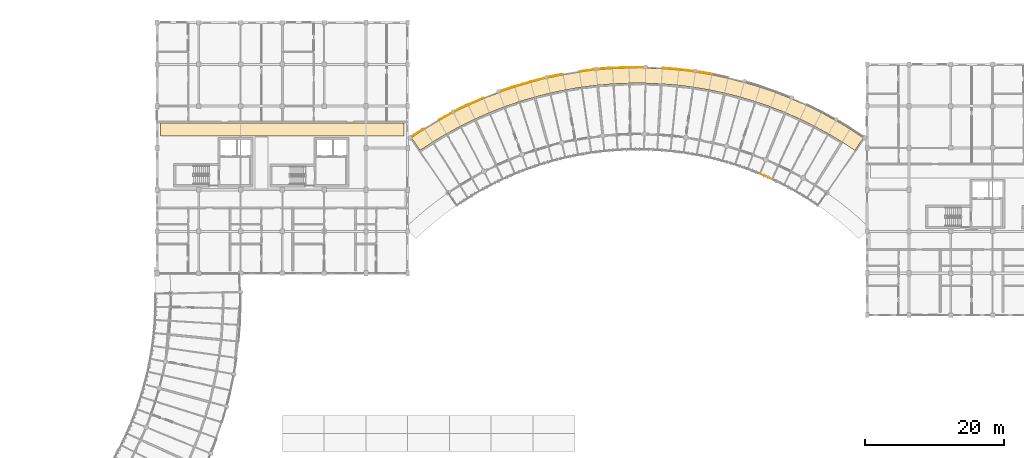
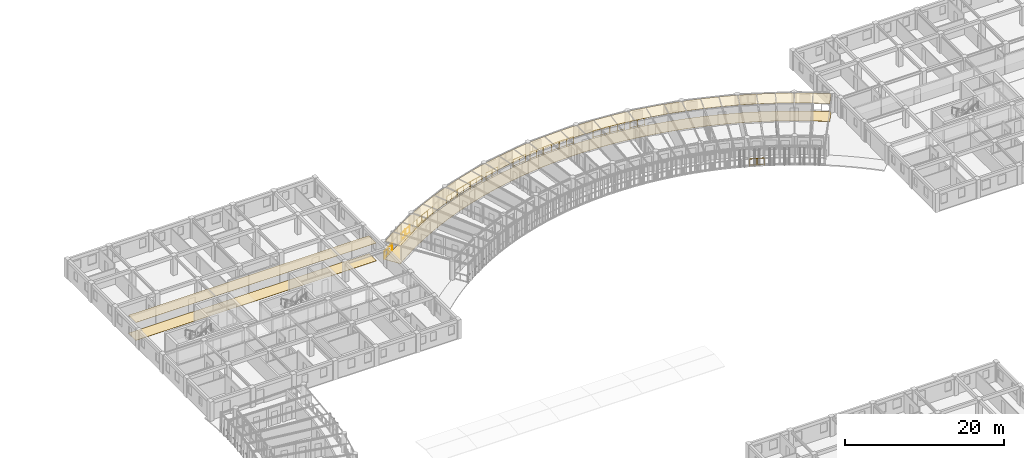
# One storey, part 97 of 100: 16 railings, 4 coverings.
"""IFC4 building model written with IfcOpenShell, lengths in metres."""

import ifcopenshell
import ifcopenshell.guid

model = None  # the IFC model being written
_history = None  # IfcOwnerHistory: only IFC2X3 demands one
_inside = {}  # id of a spatial element -> (the spatial element, [elements in it])
_under = {}  # id of a project, library or spatial element -> (it, [spatial elements below it])
_declared = {}  # id of a project -> (the project, [libraries it declares])
_typed = {}  # id of a type object -> (the type object, [elements of that type])
_made_of = {}  # id of a material, layer set ... -> (it, [elements and type objects made of it])


def new_model(schema):
    """Start an empty IFC model of exactly this schema.

    Asked for "IFC4X3", IfcOpenShell would pick the latest addendum, in which some entities
    have other attributes; the version numbers below select the first issue.
    IFC2X3 requires an IfcOwnerHistory on every rooted entity: one is made here for all.
    """
    global model, _history
    if schema == "IFC4X3":
        model = ifcopenshell.file(schema_version=(4, 3, 0, 0))
    else:
        model = ifcopenshell.file(schema=schema)
    _inside.clear()
    _under.clear()
    _declared.clear()
    _typed.clear()
    _made_of.clear()
    _history = None
    if model.schema == "IFC2X3":
        org = make("IfcOrganization", Name="unknown")
        user = make(
            "IfcPersonAndOrganization",
            ThePerson=make("IfcPerson", FamilyName="unknown"),
            TheOrganization=org,
        )
        app = make(
            "IfcApplication",
            ApplicationDeveloper=org,
            Version="unknown",
            ApplicationFullName="unknown",
            ApplicationIdentifier="unknown",
        )
        _history = make(
            "IfcOwnerHistory",
            OwningUser=user,
            OwningApplication=app,
            ChangeAction="ADDED",
            CreationDate=0,
        )
    return model


def make(cls, **values):
    """One entity of the class cls with the attributes given. An attribute that is None is left unset."""
    return model.create_entity(
        cls, **{name: value for name, value in values.items() if value is not None}
    )


def rooted(cls, **values):
    """An entity with a GlobalId (a new one), such as an element, a storey or a relation."""
    return make(cls, GlobalId=ifcopenshell.guid.new(), OwnerHistory=_history, **values)


def si_unit(unit_type, name, prefix=None):
    """IfcSIUnit, for example si_unit("LENGTHUNIT", "METRE", prefix="MILLI")."""
    return make("IfcSIUnit", UnitType=unit_type, Prefix=prefix, Name=name)


def assignment(units):
    """IfcUnitAssignment: the units of a project."""
    return None if units is None else make("IfcUnitAssignment", Units=units)


def point(xyz):
    """IfcCartesianPoint."""
    return None if xyz is None else make("IfcCartesianPoint", Coordinates=xyz)


def direction(xyz):
    """IfcDirection."""
    return None if xyz is None else make("IfcDirection", DirectionRatios=xyz)


def frame(location, z_axis=None, x_axis=None):
    """IfcAxis2Placement3D, a coordinate frame: its origin and axes. An axis left out is left unset."""
    return make(
        "IfcAxis2Placement3D",
        Location=point(location),
        Axis=direction(z_axis),
        RefDirection=direction(x_axis),
    )


def frame_2d(location, x_axis=None):
    """IfcAxis2Placement2D, a coordinate frame in the plane: its origin and x axis."""
    return make(
        "IfcAxis2Placement2D", Location=point(location), RefDirection=direction(x_axis)
    )


def origin():
    """The frame at (0, 0, 0) with its axes left unset."""
    return frame((0.0, 0.0, 0.0))


def origin_2d():
    """The frame at (0, 0) in the plane with its x axis left unset."""
    return frame_2d((0.0, 0.0))


def place(relative_to, where):
    """IfcLocalPlacement: puts the frame where relative to a parent placement (None: the world)."""
    return make(
        "IfcLocalPlacement", PlacementRelTo=relative_to, RelativePlacement=where
    )


def context(
    kind, dimensions, precision=None, world=None, true_north=None, identifier=None
):
    """IfcGeometricRepresentationContext, for example the 3D "Model" context."""
    return make(
        "IfcGeometricRepresentationContext",
        ContextIdentifier=identifier,
        ContextType=kind,
        CoordinateSpaceDimension=dimensions,
        Precision=precision,
        WorldCoordinateSystem=world,
        TrueNorth=true_north,
    )


def subcontext(parent, identifier, kind, view, scale=None):
    """IfcGeometricRepresentationSubContext, for example "Body" below "Model"."""
    return make(
        "IfcGeometricRepresentationSubContext",
        ContextIdentifier=identifier,
        ContextType=kind,
        ParentContext=parent,
        TargetScale=scale,
        TargetView=view,
    )


def project(units=None, contexts=None):
    """IfcProject with its units and contexts."""
    return rooted(
        "IfcProject",
        Name="project",
        RepresentationContexts=contexts,
        UnitsInContext=assignment(units),
    )


def spatial(cls, under=None, at=None, **own):
    """A site, building, storey or space (cls), placed at a placement, below another one or the project."""
    s = rooted(cls, ObjectPlacement=at, **own)
    if under is not None:
        _under.setdefault(under.id(), (under, []))[1].append(s)
    return s


def polyline(points):
    """IfcPolyline through the points."""
    return make("IfcPolyline", Points=[point(p) for p in points])


def profile(cls, at=None, kind="AREA", **sizes):
    """A parametric profile (cls). Its sizes go by their IFC names, for example OverallWidth=200.0."""
    return make(cls, ProfileType=kind, Position=at, **sizes)


def circle(**sizes):
    """IfcCircleProfileDef."""
    return profile("IfcCircleProfileDef", **sizes)


def outline(outer, holes=None, kind="AREA"):
    """IfcArbitraryClosedProfileDef: a profile drawn as a closed curve; with holes, ...WithVoids."""
    if holes is None:
        return make("IfcArbitraryClosedProfileDef", ProfileType=kind, OuterCurve=outer)
    return make(
        "IfcArbitraryProfileDefWithVoids",
        ProfileType=kind,
        OuterCurve=outer,
        InnerCurves=holes,
    )


def extrude(swept, where, along, depth):
    """IfcExtrudedAreaSolid: the profile swept, set in the frame where, extruded along a direction by depth."""
    return make(
        "IfcExtrudedAreaSolid",
        SweptArea=swept,
        Position=where,
        ExtrudedDirection=direction(along),
        Depth=depth,
    )


def shape(context_of_items, identifier, shape_type, items):
    """IfcShapeRepresentation: the items that make up one representation, for example the "Body"."""
    return make(
        "IfcShapeRepresentation",
        ContextOfItems=context_of_items,
        RepresentationIdentifier=identifier,
        RepresentationType=shape_type,
        Items=items,
    )


def material(Name=None, Category=None):
    """IfcMaterial."""
    return make("IfcMaterial", Name=Name, Category=Category)


def layer(
    of_material, thickness, ventilated=None, Name=None, Category=None, Priority=None
):
    """IfcMaterialLayer: one layer of a wall or slab, of a material (None: an air gap)."""
    return make(
        "IfcMaterialLayer",
        Material=of_material,
        LayerThickness=thickness,
        IsVentilated=ventilated,
        Name=Name,
        Category=Category,
        Priority=Priority,
    )


def layer_set(layers, Name=None):
    """IfcMaterialLayerSet."""
    return make("IfcMaterialLayerSet", MaterialLayers=layers, LayerSetName=Name)


def made_of(thing, what):
    """Note that an element or type object is made of a material, layer set ...; save() writes the relation."""
    if what is not None:
        _made_of.setdefault(what.id(), (what, []))[1].append(thing)
    return thing


def type_object(cls, material=None, **own):
    """A type object (cls), such as IfcWallType, which elements share."""
    return made_of(rooted(cls, **own), material)


def element(
    cls,
    number,
    at=None,
    inside=None,
    cuts=None,
    type_object=None,
    material=None,
    context=None,
    identifier="Body",
    shape_type=None,
    held_by="IfcProductDefinitionShape",
    body=None,
    shapes=None,
    **own,
):
    """One element of the class cls, such as IfcWall. Its Tag is "e" and its number.

    at: its placement. inside: the storey or other place that contains it. cuts: it is an
    opening in that element (IfcRelVoidsElement). A single representation is given by context,
    identifier, shape_type and body (its items); several are given by shapes. held_by: the class
    of the entity that holds the representations. save() writes the other relations.
    """
    e = rooted(cls, Tag="e%d" % number, ObjectPlacement=at, **own)
    if body is not None:
        shapes = [shape(context, identifier, shape_type, body)]
    if shapes is not None:
        e.Representation = make(held_by, Representations=shapes)
    if inside is not None:
        _inside.setdefault(inside.id(), (inside, []))[1].append(e)
    if cuts is not None:
        rooted(
            "IfcRelVoidsElement", RelatingBuildingElement=cuts, RelatedOpeningElement=e
        )
    if type_object is not None:
        _typed.setdefault(type_object.id(), (type_object, []))[1].append(e)
    return made_of(e, material)


def aggregate(whole, parts):
    """IfcRelAggregates: a whole, such as a stair, and the parts it consists of."""
    return rooted("IfcRelAggregates", RelatingObject=whole, RelatedObjects=parts)


def save(model, path):
    """Write the relations noted so far, then the file.

    IfcRelAggregates (storeys below a building ...), IfcRelContainedInSpatialStructure (elements
    in a storey), IfcRelDefinesByType, IfcRelAssociatesMaterial and IfcRelDeclares: one each for
    every whole, place, type object, material and project.
    """
    for whole, parts in _under.values():
        aggregate(whole, parts)
    for where, things in _inside.values():
        rooted(
            "IfcRelContainedInSpatialStructure",
            RelatedElements=things,
            RelatingStructure=where,
        )
    for kind, things in _typed.values():
        rooted("IfcRelDefinesByType", RelatedObjects=things, RelatingType=kind)
    for what, things in _made_of.values():
        rooted("IfcRelAssociatesMaterial", RelatedObjects=things, RelatingMaterial=what)
    for by, libraries in _declared.values():
        rooted("IfcRelDeclares", RelatingContext=by, RelatedDefinitions=libraries)
    model.write(path)


model = new_model("IFC4")

# Units and contexts
model_context = context("Model", 3, precision=1e-05, world=origin(), true_north=direction((0.0, 1.0)))
body_context = subcontext(model_context, "Body", "Model", "MODEL_VIEW")
ifc_project = project(units=[si_unit("LENGTHUNIT", "METRE"), si_unit("AREAUNIT", "SQUARE_METRE"), si_unit("VOLUMEUNIT", "CUBIC_METRE"), si_unit("PLANEANGLEUNIT", "RADIAN"), si_unit("MASSUNIT", "GRAM", prefix="KILO"), si_unit("POWERUNIT", "WATT"), si_unit("THERMODYNAMICTEMPERATUREUNIT", "KELVIN")], contexts=[model_context])

# Site, building, storey
site_placement = place(None, origin())
site = spatial("IfcSite", under=ifc_project, at=site_placement, CompositionType="ELEMENT")
building_placement = place(site_placement, origin())
building = spatial("IfcBuilding", under=site, at=building_placement, Name="Ruvembo Vaulted Housing Court", CompositionType="ELEMENT")
storey_placement = place(building_placement, frame((0.0, 0.0, 10.89990234375)))
storey = spatial("IfcBuildingStorey", under=building, at=storey_placement, Name="L03", CompositionType="ELEMENT", Elevation=10.89990234375)

# Coverings
ifc_material_1 = material(Name="Perforated Mineral-Fibre Acoustic Tile", Category="gypsum")
ifc_layer_1 = layer(ifc_material_1, 0.02001953125, Name="Perforated Mineral-Fibre Acoustic Tile")
ifc_layer_set_1 = layer_set([ifc_layer_1], Name="Perforated Mineral-Fibre Acoustic Tile")
covering_type_1 = type_object("IfcCoveringType", Name="COV-CEIL-ACOUST", PredefinedType="CEILING", material=ifc_layer_set_1)
covering_1_placement = place(storey_placement, frame((0.0, 0.0, 2.75)))
element("IfcCovering", 1, at=covering_1_placement, inside=storey, type_object=covering_type_1, Name="Block B L03 North Sub-Corridor Ceiling", PredefinedType="CEILING", context=body_context, shape_type="SweptSolid", body=[
    extrude(outline(polyline([(48.510009765625, 97.7099609375), (83.489990234375, 97.7099609375), (83.489990234375, 99.590087890625), (48.510009765625, 99.590087890625), (48.510009765625, 97.7099609375)])), origin(), (0.0, 0.0, 1.0), 0.02001953125),
])
covering_2_placement = place(storey_placement, frame((0.0, 0.0, 2.75)))
element("IfcCovering", 2, at=covering_2_placement, inside=storey, type_object=covering_type_1, Name="Scoop SC3 L03 Shaded Access Gallery Ceiling", PredefinedType="CEILING", context=body_context, shape_type="SweptSolid", body=[
    extrude(outline(polyline([(87.599853515625, 96.848876953125), (87.603759765625, 96.851318359375), (89.5693359375, 98.02880859375), (89.5732421875, 98.031005859375), (91.5859375, 99.12548828125), (91.590087890625, 99.127685546875), (93.646484375, 100.137939453125), (93.650634765625, 100.139892578125), (95.747314453125, 101.06396484375), (95.751708984375, 101.065673828125), (97.884765625, 101.90185546875), (97.888916015625, 101.9033203125), (100.054931640625, 102.650390625), (100.059326171875, 102.65185546875), (102.25439453125, 103.30810546875), (102.2587890625, 103.309326171875), (104.4794921875, 103.874267578125), (104.48388671875, 103.875244140625), (106.725830078125, 104.347412109375), (106.73046875, 104.348388671875), (108.990234375, 104.72705078125), (108.99462890625, 104.7275390625), (111.26806640625, 105.01220703125), (111.272705078125, 105.0126953125), (113.55615234375, 105.20263671875), (113.560546875, 105.202880859375), (115.849853515625, 105.298095703125), (115.8544921875, 105.298095703125), (118.1455078125, 105.298095703125), (118.150146484375, 105.298095703125), (120.439453125, 105.202880859375), (120.44384765625, 105.20263671875), (122.727294921875, 105.0126953125), (122.73193359375, 105.01220703125), (125.00537109375, 104.7275390625), (125.009765625, 104.72705078125), (127.26953125, 104.348388671875), (127.274169921875, 104.347412109375), (129.51611328125, 103.875244140625), (129.5205078125, 103.874267578125), (131.7412109375, 103.309326171875), (131.74560546875, 103.30810546875), (133.940673828125, 102.65185546875), (133.945068359375, 102.650390625), (136.111083984375, 101.9033203125), (136.115234375, 101.90185546875), (138.248291015625, 101.065673828125), (138.252685546875, 101.06396484375), (140.349365234375, 100.139892578125), (140.353515625, 100.137939453125), (142.409912109375, 99.127685546875), (142.4140625, 99.12548828125), (144.4267578125, 98.031005859375), (144.4306640625, 98.02880859375), (146.396484375, 96.851318359375), (146.400390625, 96.848876953125), (148.22509765625, 95.650390625), (149.45947265625, 97.447021484375), (147.556884765625, 98.69677734375), (145.509765625, 99.9228515625), (143.41357421875, 101.06298828125), (141.271728515625, 102.114990234375), (139.088134765625, 103.077392578125), (136.866455078125, 103.948486328125), (134.610595703125, 104.726318359375), (132.324462890625, 105.409912109375), (130.01171875, 105.998046875), (127.6767578125, 106.489990234375), (125.3232421875, 106.88427734375), (122.955322265625, 107.1806640625), (120.577392578125, 107.378662109375), (118.193115234375, 107.4775390625), (115.806884765625, 107.4775390625), (113.422607421875, 107.378662109375), (111.044677734375, 107.1806640625), (108.6767578125, 106.88427734375), (106.3232421875, 106.489990234375), (103.98828125, 105.998046875), (101.675537109375, 105.409912109375), (99.389404296875, 104.726318359375), (97.133544921875, 103.948486328125), (94.911865234375, 103.077392578125), (92.728271484375, 102.114990234375), (90.58642578125, 101.06298828125), (88.490234375, 99.9228515625), (86.443115234375, 98.69677734375), (84.54052734375, 97.447021484375), (85.77490234375, 95.650390625), (87.599853515625, 96.848876953125)])), origin(), (0.0, 0.0, 1.0), 0.02001953125),
])
ifc_material_2 = material(Name="Polished Cement-Aggregate Terrazzo", Category="stone")
ifc_layer_2 = layer(ifc_material_2, 0.02197265625, Name="Polished Cement-Aggregate Terrazzo")
ifc_layer_set_2 = layer_set([ifc_layer_2], Name="Polished Cement-Aggregate Terrazzo")
covering_type_2 = type_object("IfcCoveringType", Name="COV-FLR-CERAMIC", PredefinedType="FLOORING", material=ifc_layer_set_2)
covering_3_placement = place(storey_placement, origin())
element("IfcCovering", 3, at=covering_3_placement, inside=storey, type_object=covering_type_2, Name="Block B L03 North Sub-Corridor Flooring", PredefinedType="FLOORING", context=body_context, shape_type="SweptSolid", body=[
    extrude(outline(polyline([(48.510009765625, 97.7099609375), (83.489990234375, 97.7099609375), (83.489990234375, 99.590087890625), (48.510009765625, 99.590087890625), (48.510009765625, 97.7099609375)])), origin(), (0.0, 0.0, 1.0), 0.022216796875),
])
covering_4_placement = place(storey_placement, origin())
element("IfcCovering", 4, at=covering_4_placement, inside=storey, type_object=covering_type_2, Name="Scoop SC3 L03 Shaded Access Gallery Flooring", PredefinedType="FLOORING", context=body_context, shape_type="SweptSolid", body=[
    extrude(outline(polyline([(87.599853515625, 96.848876953125), (87.603759765625, 96.851318359375), (89.5693359375, 98.02880859375), (89.5732421875, 98.031005859375), (91.5859375, 99.12548828125), (91.590087890625, 99.127685546875), (93.646484375, 100.137939453125), (93.650634765625, 100.139892578125), (95.747314453125, 101.06396484375), (95.751708984375, 101.065673828125), (97.884765625, 101.90185546875), (97.888916015625, 101.9033203125), (100.054931640625, 102.650390625), (100.059326171875, 102.65185546875), (102.25439453125, 103.30810546875), (102.2587890625, 103.309326171875), (104.4794921875, 103.874267578125), (104.48388671875, 103.875244140625), (106.725830078125, 104.347412109375), (106.73046875, 104.348388671875), (108.990234375, 104.72705078125), (108.99462890625, 104.7275390625), (111.26806640625, 105.01220703125), (111.272705078125, 105.0126953125), (113.55615234375, 105.20263671875), (113.560546875, 105.202880859375), (115.849853515625, 105.298095703125), (115.8544921875, 105.298095703125), (118.1455078125, 105.298095703125), (118.150146484375, 105.298095703125), (120.439453125, 105.202880859375), (120.44384765625, 105.20263671875), (122.727294921875, 105.0126953125), (122.73193359375, 105.01220703125), (125.00537109375, 104.7275390625), (125.009765625, 104.72705078125), (127.26953125, 104.348388671875), (127.274169921875, 104.347412109375), (129.51611328125, 103.875244140625), (129.5205078125, 103.874267578125), (131.7412109375, 103.309326171875), (131.74560546875, 103.30810546875), (133.940673828125, 102.65185546875), (133.945068359375, 102.650390625), (136.111083984375, 101.9033203125), (136.115234375, 101.90185546875), (138.248291015625, 101.065673828125), (138.252685546875, 101.06396484375), (140.349365234375, 100.139892578125), (140.353515625, 100.137939453125), (142.409912109375, 99.127685546875), (142.4140625, 99.12548828125), (144.4267578125, 98.031005859375), (144.4306640625, 98.02880859375), (146.396484375, 96.851318359375), (146.400390625, 96.848876953125), (148.22509765625, 95.650390625), (149.45947265625, 97.447021484375), (147.556884765625, 98.69677734375), (145.509765625, 99.9228515625), (143.41357421875, 101.06298828125), (141.271728515625, 102.114990234375), (139.088134765625, 103.077392578125), (136.866455078125, 103.948486328125), (134.610595703125, 104.726318359375), (132.324462890625, 105.409912109375), (130.01171875, 105.998046875), (127.6767578125, 106.489990234375), (125.3232421875, 106.88427734375), (122.955322265625, 107.1806640625), (120.577392578125, 107.378662109375), (118.193115234375, 107.4775390625), (115.806884765625, 107.4775390625), (113.422607421875, 107.378662109375), (111.044677734375, 107.1806640625), (108.6767578125, 106.88427734375), (106.3232421875, 106.489990234375), (103.98828125, 105.998046875), (101.675537109375, 105.409912109375), (99.389404296875, 104.726318359375), (97.133544921875, 103.948486328125), (94.911865234375, 103.077392578125), (92.728271484375, 102.114990234375), (90.58642578125, 101.06298828125), (88.490234375, 99.9228515625), (86.443115234375, 98.69677734375), (84.54052734375, 97.447021484375), (85.77490234375, 95.650390625), (87.599853515625, 96.848876953125)])), origin(), (0.0, 0.0, 1.0), 0.022216796875),
])

# Railings
ifc_material_3 = material(Name="Galvanised Painted Steel and Laminated Glass", Category="steel")
ifc_layer_3 = layer(ifc_material_3, 0.070068359375, Name="Galvanised Painted Steel and Laminated Glass")
ifc_layer_set_3 = layer_set([ifc_layer_3], Name="Galvanised Painted Steel and Laminated Glass")
railing_type_1 = type_object("IfcRailingType", Name="RL-BALUST-1120", PredefinedType="BALUSTRADE", material=ifc_layer_set_3)
railing_1_placement = place(storey_placement, frame((84.6787109375, 97.66943359375, 0.0)))
element("IfcRailing", 5, at=railing_1_placement, inside=storey, type_object=railing_type_1, Name="L03 Perimeter Guard RL-EXT-L03-0693", PredefinedType="BALUSTRADE", context=body_context, shape_type="SweptSolid", body=[
    extrude(circle(Radius=0.02392578125, at=origin_2d()), frame((0.0, 0.0, 1.09619140625), z_axis=(0.835822843762, 0.548999247582, 0.0), x_axis=(-0.548999247582, 0.835822843762, 0.0)), (0.0, 0.0, 1.0), 1.990966796875),
    extrude(circle(Radius=0.01806640625, at=origin_2d()), frame((0.0, 0.0, 0.1201171875), z_axis=(0.835822843762, 0.548999247582, 0.0), x_axis=(-0.548999247582, 0.835822843762, 0.0)), (0.0, 0.0, 1.0), 1.990966796875),
    extrude(circle(Radius=0.02099609375, at=origin_2d()), origin(), (0.0, 0.0, 1.0), 1.072021484375),
    extrude(circle(Radius=0.02099609375, at=origin_2d()), frame((0.83203125, 0.54638671875, 0.0)), (0.0, 0.0, 1.0), 1.072021484375),
    extrude(circle(Radius=0.02099609375, at=origin_2d()), frame((1.6640625, 1.093017578125, 0.0)), (0.0, 0.0, 1.0), 1.072021484375),
])
railing_2_placement = place(storey_placement, frame((88.4794921875, 100.042236328125, 0.0)))
element("IfcRailing", 6, at=railing_2_placement, inside=storey, type_object=railing_type_1, Name="L03 Perimeter Guard RL-EXT-L03-0694", PredefinedType="BALUSTRADE", context=body_context, shape_type="SweptSolid", body=[
    extrude(circle(Radius=0.02392578125, at=origin_2d()), frame((0.0, 0.0, 1.09619140625), z_axis=(0.878494737544, 0.477752023656, 0.0), x_axis=(-0.477752023656, 0.878494737544, 0.0)), (0.0, 0.0, 1.0), 1.990966796875),
    extrude(circle(Radius=0.01806640625, at=origin_2d()), frame((0.0, 0.0, 0.1201171875), z_axis=(0.878494737544, 0.477752023656, 0.0), x_axis=(-0.477752023656, 0.878494737544, 0.0)), (0.0, 0.0, 1.0), 1.990966796875),
    extrude(circle(Radius=0.02099609375, at=origin_2d()), origin(), (0.0, 0.0, 1.0), 1.072021484375),
    extrude(circle(Radius=0.02099609375, at=origin_2d()), frame((0.87451171875, 0.4755859375, 0.0)), (0.0, 0.0, 1.0), 1.072021484375),
    extrude(circle(Radius=0.02099609375, at=origin_2d()), frame((1.7490234375, 0.951171875, 0.0)), (0.0, 0.0, 1.0), 1.072021484375),
])
railing_3_placement = place(storey_placement, frame((90.85009765625, 101.31494140625, 0.0)))
element("IfcRailing", 7, at=railing_3_placement, inside=storey, type_object=railing_type_1, Name="L03 Perimeter Guard RL-EXT-L03-0695", PredefinedType="BALUSTRADE", context=body_context, shape_type="SweptSolid", body=[
    extrude(circle(Radius=0.02392578125, at=origin_2d()), frame((0.0, 0.0, 1.09619140625), z_axis=(0.897520268648, 0.440973204817, 0.0), x_axis=(-0.440973204817, 0.897520268648, 0.0)), (0.0, 0.0, 1.0), 1.990966796875),
    extrude(circle(Radius=0.01806640625, at=origin_2d()), frame((0.0, 0.0, 0.1201171875), z_axis=(0.897520268648, 0.440973204817, 0.0), x_axis=(-0.440973204817, 0.897520268648, 0.0)), (0.0, 0.0, 1.0), 1.990966796875),
    extrude(circle(Radius=0.02099609375, at=origin_2d()), origin(), (0.0, 0.0, 1.0), 1.072021484375),
    extrude(circle(Radius=0.02099609375, at=origin_2d()), frame((0.8935546875, 0.43896484375, 0.0)), (0.0, 0.0, 1.0), 1.072021484375),
    extrude(circle(Radius=0.02099609375, at=origin_2d()), frame((1.786865234375, 0.8779296875, 0.0)), (0.0, 0.0, 1.0), 1.072021484375),
])
railing_4_placement = place(storey_placement, frame((92.7275390625, 102.235107421875, 0.0)))
element("IfcRailing", 8, at=railing_4_placement, inside=storey, type_object=railing_type_1, Name="L03 Perimeter Guard RL-EXT-L03-0696", PredefinedType="BALUSTRADE", context=body_context, shape_type="SweptSolid", body=[
    extrude(circle(Radius=0.02392578125, at=origin_2d()), frame((0.0, 0.0, 1.09619140625), z_axis=(0.915112182251, 0.403199322788, 0.0), x_axis=(-0.403199322788, 0.915112182251, 0.0)), (0.0, 0.0, 1.0), 2.29052734375),
    extrude(circle(Radius=0.01806640625, at=origin_2d()), frame((0.0, 0.0, 0.1201171875), z_axis=(0.915112182251, 0.403199322788, 0.0), x_axis=(-0.403199322788, 0.915112182251, 0.0)), (0.0, 0.0, 1.0), 2.29052734375),
    extrude(circle(Radius=0.02099609375, at=origin_2d()), origin(), (0.0, 0.0, 1.0), 1.072021484375),
    extrude(circle(Radius=0.02099609375, at=origin_2d()), frame((1.048095703125, 0.4619140625, 0.0)), (0.0, 0.0, 1.0), 1.072021484375),
    extrude(circle(Radius=0.02099609375, at=origin_2d()), frame((2.09619140625, 0.923583984375, 0.0)), (0.0, 0.0, 1.0), 1.072021484375),
])
railing_5_placement = place(storey_placement, frame((97.426513671875, 104.165771484375, 0.0)))
element("IfcRailing", 9, at=railing_5_placement, inside=storey, type_object=railing_type_1, Name="L03 Perimeter Guard RL-EXT-L03-0697", PredefinedType="BALUSTRADE", context=body_context, shape_type="SweptSolid", body=[
    extrude(circle(Radius=0.02392578125, at=origin_2d()), frame((0.0, 0.0, 1.09619140625), z_axis=(0.945370374838, 0.325998242906, 0.0), x_axis=(-0.325998242906, 0.945370374838, 0.0)), (0.0, 0.0, 1.0), 1.990478515625),
    extrude(circle(Radius=0.01806640625, at=origin_2d()), frame((0.0, 0.0, 0.1201171875), z_axis=(0.945370374838, 0.325998242906, 0.0), x_axis=(-0.325998242906, 0.945370374838, 0.0)), (0.0, 0.0, 1.0), 1.990478515625),
    extrude(circle(Radius=0.02099609375, at=origin_2d()), origin(), (0.0, 0.0, 1.0), 1.072021484375),
    extrude(circle(Radius=0.02099609375, at=origin_2d()), frame((0.94091796875, 0.324462890625, 0.0)), (0.0, 0.0, 1.0), 1.072021484375),
    extrude(circle(Radius=0.02099609375, at=origin_2d()), frame((1.8818359375, 0.64892578125, 0.0)), (0.0, 0.0, 1.0), 1.072021484375),
])
railing_6_placement = place(storey_placement, frame((99.403564453125, 104.84521484375, 0.0)))
element("IfcRailing", 10, at=railing_6_placement, inside=storey, type_object=railing_type_1, Name="L03 Perimeter Guard RL-EXT-L03-0698", PredefinedType="BALUSTRADE", context=body_context, shape_type="SweptSolid", body=[
    extrude(circle(Radius=0.02392578125, at=origin_2d()), frame((0.0, 0.0, 1.09619140625), z_axis=(0.958060614502, 0.28656562763, 0.0), x_axis=(-0.28656562763, 0.958060614502, 0.0)), (0.0, 0.0, 1.0), 2.291015625),
    extrude(circle(Radius=0.01806640625, at=origin_2d()), frame((0.0, 0.0, 0.1201171875), z_axis=(0.958060614502, 0.28656562763, 0.0), x_axis=(-0.28656562763, 0.958060614502, 0.0)), (0.0, 0.0, 1.0), 2.291015625),
    extrude(circle(Radius=0.02099609375, at=origin_2d()), origin(), (0.0, 0.0, 1.0), 1.072021484375),
    extrude(circle(Radius=0.02099609375, at=origin_2d()), frame((1.097412109375, 0.328125, 0.0)), (0.0, 0.0, 1.0), 1.072021484375),
    extrude(circle(Radius=0.02099609375, at=origin_2d()), frame((2.19482421875, 0.656494140625, 0.0)), (0.0, 0.0, 1.0), 1.072021484375),
])
railing_7_placement = place(storey_placement, frame((101.69482421875, 105.5283203125, 0.0)))
element("IfcRailing", 11, at=railing_7_placement, inside=storey, type_object=railing_type_1, Name="L03 Perimeter Guard RL-EXT-L03-0699", PredefinedType="BALUSTRADE", context=body_context, shape_type="SweptSolid", body=[
    extrude(circle(Radius=0.02392578125, at=origin_2d()), frame((0.0, 0.0, 1.09619140625), z_axis=(0.969146191612, 0.246486631044, 0.0), x_axis=(-0.246486631044, 0.969146191612, 0.0)), (0.0, 0.0, 1.0), 1.990966796875),
    extrude(circle(Radius=0.01806640625, at=origin_2d()), frame((0.0, 0.0, 0.1201171875), z_axis=(0.969146191612, 0.246486631044, 0.0), x_axis=(-0.246486631044, 0.969146191612, 0.0)), (0.0, 0.0, 1.0), 1.990966796875),
    extrude(circle(Radius=0.02099609375, at=origin_2d()), origin(), (0.0, 0.0, 1.0), 1.072021484375),
    extrude(circle(Radius=0.02099609375, at=origin_2d()), frame((0.96484375, 0.245361328125, 0.0)), (0.0, 0.0, 1.0), 1.072021484375),
    extrude(circle(Radius=0.02099609375, at=origin_2d()), frame((1.929443359375, 0.49072265625, 0.0)), (0.0, 0.0, 1.0), 1.072021484375),
])
railing_8_placement = place(storey_placement, frame((104.305908203125, 106.177490234375, 0.0)))
element("IfcRailing", 12, at=railing_8_placement, inside=storey, type_object=railing_type_1, Name="L03 Perimeter Guard RL-EXT-L03-0700", PredefinedType="BALUSTRADE", context=body_context, shape_type="SweptSolid", body=[
    extrude(circle(Radius=0.02392578125, at=origin_2d()), frame((0.0, 0.0, 1.09619140625), z_axis=(0.978544579794, 0.206035204168, 0.0), x_axis=(-0.206035204168, 0.978544579794, 0.0)), (0.0, 0.0, 1.0), 1.99072265625),
    extrude(circle(Radius=0.01806640625, at=origin_2d()), frame((0.0, 0.0, 0.1201171875), z_axis=(0.978544579794, 0.206035204168, 0.0), x_axis=(-0.206035204168, 0.978544579794, 0.0)), (0.0, 0.0, 1.0), 1.99072265625),
    extrude(circle(Radius=0.02099609375, at=origin_2d()), origin(), (0.0, 0.0, 1.0), 1.072021484375),
    extrude(circle(Radius=0.02099609375, at=origin_2d()), frame((0.97412109375, 0.205078125, 0.0)), (0.0, 0.0, 1.0), 1.072021484375),
    extrude(circle(Radius=0.02099609375, at=origin_2d()), frame((1.947998046875, 0.41015625, 0.0)), (0.0, 0.0, 1.0), 1.072021484375),
])
railing_9_placement = place(storey_placement, frame((108.71044921875, 106.99951171875, 0.0)))
element("IfcRailing", 13, at=railing_9_placement, inside=storey, type_object=railing_type_1, Name="L03 Perimeter Guard RL-EXT-L03-0701", PredefinedType="BALUSTRADE", context=body_context, shape_type="SweptSolid", body=[
    extrude(circle(Radius=0.02392578125, at=origin_2d()), frame((0.0, 0.0, 1.09619140625), z_axis=(0.99226844011, 0.124110204102, 0.0), x_axis=(-0.124110204102, 0.99226844011, 0.0)), (0.0, 0.0, 1.0), 1.99072265625),
    extrude(circle(Radius=0.01806640625, at=origin_2d()), frame((0.0, 0.0, 0.1201171875), z_axis=(0.99226844011, 0.124110204102, 0.0), x_axis=(-0.124110204102, 0.99226844011, 0.0)), (0.0, 0.0, 1.0), 1.99072265625),
    extrude(circle(Radius=0.02099609375, at=origin_2d()), origin(), (0.0, 0.0, 1.0), 1.072021484375),
    extrude(circle(Radius=0.02099609375, at=origin_2d()), frame((0.98779296875, 0.12353515625, 0.0)), (0.0, 0.0, 1.0), 1.072021484375),
    extrude(circle(Radius=0.02099609375, at=origin_2d()), frame((1.975341796875, 0.2470703125, 0.0)), (0.0, 0.0, 1.0), 1.072021484375),
])
railing_10_placement = place(storey_placement, frame((111.382080078125, 107.319091796875, 0.0)))
element("IfcRailing", 14, at=railing_10_placement, inside=storey, type_object=railing_type_1, Name="L03 Perimeter Guard RL-EXT-L03-0702", PredefinedType="BALUSTRADE", context=body_context, shape_type="SweptSolid", body=[
    extrude(circle(Radius=0.02392578125, at=origin_2d()), frame((0.0, 0.0, 1.09619140625), z_axis=(0.996547449582, 0.083025181315, 0.0), x_axis=(-0.083025181315, 0.996547449582, 0.0)), (0.0, 0.0, 1.0), 1.99072265625),
    extrude(circle(Radius=0.01806640625, at=origin_2d()), frame((0.0, 0.0, 0.1201171875), z_axis=(0.996547449582, 0.083025181315, 0.0), x_axis=(-0.083025181315, 0.996547449582, 0.0)), (0.0, 0.0, 1.0), 1.99072265625),
    extrude(circle(Radius=0.02099609375, at=origin_2d()), origin(), (0.0, 0.0, 1.0), 1.072021484375),
    extrude(circle(Radius=0.02099609375, at=origin_2d()), frame((0.991943359375, 0.08251953125, 0.0)), (0.0, 0.0, 1.0), 1.072021484375),
    extrude(circle(Radius=0.02099609375, at=origin_2d()), frame((1.98388671875, 0.165283203125, 0.0)), (0.0, 0.0, 1.0), 1.072021484375),
])
railing_11_placement = place(storey_placement, frame((113.4658203125, 107.490478515625, 0.0)))
element("IfcRailing", 15, at=railing_11_placement, inside=storey, type_object=railing_type_1, Name="L03 Perimeter Guard RL-EXT-L03-0703", PredefinedType="BALUSTRADE", context=body_context, shape_type="SweptSolid", body=[
    extrude(circle(Radius=0.02392578125, at=origin_2d()), frame((0.0, 0.0, 1.09619140625), z_axis=(0.999140261642, 0.041457659923, 0.0), x_axis=(-0.041457659923, 0.999140261642, 0.0)), (0.0, 0.0, 1.0), 2.290771484375),
    extrude(circle(Radius=0.01806640625, at=origin_2d()), frame((0.0, 0.0, 0.1201171875), z_axis=(0.999140261642, 0.041457659923, 0.0), x_axis=(-0.041457659923, 0.999140261642, 0.0)), (0.0, 0.0, 1.0), 2.290771484375),
    extrude(circle(Radius=0.02099609375, at=origin_2d()), origin(), (0.0, 0.0, 1.0), 1.072021484375),
    extrude(circle(Radius=0.02099609375, at=origin_2d()), frame((1.14453125, 0.04736328125, 0.0)), (0.0, 0.0, 1.0), 1.072021484375),
    extrude(circle(Radius=0.02099609375, at=origin_2d()), frame((2.288818359375, 0.094970703125, 0.0)), (0.0, 0.0, 1.0), 1.072021484375),
])
railing_12_placement = place(storey_placement, frame((115.8544921875, 107.587646484375, 0.0)))
element("IfcRailing", 16, at=railing_12_placement, inside=storey, type_object=railing_type_1, Name="L03 Perimeter Guard RL-EXT-L03-0704", PredefinedType="BALUSTRADE", context=body_context, shape_type="SweptSolid", body=[
    extrude(circle(Radius=0.02392578125, at=origin_2d()), frame((0.0, 0.0, 1.09619140625), z_axis=(1.0, 0.0, 0.0), x_axis=(0.0, 1.0, 0.0)), (0.0, 0.0, 1.0), 1.990966796875),
    extrude(circle(Radius=0.01806640625, at=origin_2d()), frame((0.0, 0.0, 0.1201171875), z_axis=(1.0, 0.0, 0.0), x_axis=(0.0, 1.0, 0.0)), (0.0, 0.0, 1.0), 1.990966796875),
    extrude(circle(Radius=0.02099609375, at=origin_2d()), origin(), (0.0, 0.0, 1.0), 1.072021484375),
    extrude(circle(Radius=0.02099609375, at=origin_2d()), frame((0.99560546875, 0.0, 0.0)), (0.0, 0.0, 1.0), 1.072021484375),
    extrude(circle(Radius=0.02099609375, at=origin_2d()), frame((1.990966796875, 0.0, 0.0)), (0.0, 0.0, 1.0), 1.072021484375),
])
railing_13_placement = place(storey_placement, frame((120.634033203125, 107.484375, 0.0)))
element("IfcRailing", 17, at=railing_13_placement, inside=storey, type_object=railing_type_1, Name="L03 Perimeter Guard RL-EXT-L03-0705", PredefinedType="BALUSTRADE", context=body_context, shape_type="SweptSolid", body=[
    extrude(circle(Radius=0.02392578125, at=origin_2d()), frame((0.0, 0.0, 1.09619140625), z_axis=(0.996547962816, -0.08301902075, 0.0), x_axis=(0.08301902075, 0.996547962816, 0.0)), (0.0, 0.0, 1.0), 2.290771484375),
    extrude(circle(Radius=0.01806640625, at=origin_2d()), frame((0.0, 0.0, 0.1201171875), z_axis=(0.996547962816, -0.08301902075, 0.0), x_axis=(0.08301902075, 0.996547962816, 0.0)), (0.0, 0.0, 1.0), 2.290771484375),
    extrude(circle(Radius=0.02099609375, at=origin_2d()), origin(), (0.0, 0.0, 1.0), 1.072021484375),
    extrude(circle(Radius=0.02099609375, at=origin_2d()), frame((1.1416015625, -0.09521484375, 0.0)), (0.0, 0.0, 1.0), 1.072021484375),
    extrude(circle(Radius=0.02099609375, at=origin_2d()), frame((2.282958984375, -0.190185546875, 0.0)), (0.0, 0.0, 1.0), 1.072021484375),
])
railing_14_placement = place(storey_placement, frame((123.016357421875, 107.283935546875, 0.0)))
element("IfcRailing", 18, at=railing_14_placement, inside=storey, type_object=railing_type_1, Name="L03 Perimeter Guard RL-EXT-L03-0706", PredefinedType="BALUSTRADE", context=body_context, shape_type="SweptSolid", body=[
    extrude(circle(Radius=0.02392578125, at=origin_2d()), frame((0.0, 0.0, 1.09619140625), z_axis=(0.992253329978, -0.124230950843, 0.0), x_axis=(0.124230950843, 0.992253329978, 0.0)), (0.0, 0.0, 1.0), 1.99072265625),
    extrude(circle(Radius=0.01806640625, at=origin_2d()), frame((0.0, 0.0, 0.1201171875), z_axis=(0.992253329978, -0.124230950843, 0.0), x_axis=(0.124230950843, 0.992253329978, 0.0)), (0.0, 0.0, 1.0), 1.99072265625),
    extrude(circle(Radius=0.02099609375, at=origin_2d()), origin(), (0.0, 0.0, 1.0), 1.072021484375),
    extrude(circle(Radius=0.02099609375, at=origin_2d()), frame((0.98779296875, -0.12353515625, 0.0)), (0.0, 0.0, 1.0), 1.072021484375),
    extrude(circle(Radius=0.02099609375, at=origin_2d()), frame((1.975341796875, -0.247314453125, 0.0)), (0.0, 0.0, 1.0), 1.072021484375),
])
railing_15_placement = place(storey_placement, frame((125.684326171875, 106.935302734375, 0.0)))
element("IfcRailing", 19, at=railing_15_placement, inside=storey, type_object=railing_type_1, Name="L03 Perimeter Guard RL-EXT-L03-0707", PredefinedType="BALUSTRADE", context=body_context, shape_type="SweptSolid", body=[
    extrude(circle(Radius=0.02392578125, at=origin_2d()), frame((0.0, 0.0, 1.09619140625), z_axis=(0.986241032893, -0.165313717028, 0.0), x_axis=(0.165313717028, 0.986241032893, 0.0)), (0.0, 0.0, 1.0), 1.99072265625),
    extrude(circle(Radius=0.01806640625, at=origin_2d()), frame((0.0, 0.0, 0.1201171875), z_axis=(0.986241032893, -0.165313717028, 0.0), x_axis=(0.165313717028, 0.986241032893, 0.0)), (0.0, 0.0, 1.0), 1.99072265625),
    extrude(circle(Radius=0.02099609375, at=origin_2d()), origin(), (0.0, 0.0, 1.0), 1.072021484375),
    extrude(circle(Radius=0.02099609375, at=origin_2d()), frame((0.981689453125, -0.16455078125, 0.0)), (0.0, 0.0, 1.0), 1.072021484375),
    extrude(circle(Radius=0.02099609375, at=origin_2d()), frame((1.96337890625, -0.3291015625, 0.0)), (0.0, 0.0, 1.0), 1.072021484375),
])
ifc_material_4 = material(Name="Galvanised Painted Steel S275", Category="steel")
ifc_layer_4 = layer(ifc_material_4, 0.06005859375, Name="Galvanised Painted Steel S275")
ifc_layer_set_4 = layer_set([ifc_layer_4], Name="Galvanised Painted Steel S275")
railing_type_2 = type_object("IfcRailingType", Name="RL-GUARD-1100", PredefinedType="GUARDRAIL", material=ifc_layer_set_4)
railing_16_placement = place(storey_placement, frame((134.5966796875, 92.28466796875, 0.0)))
element("IfcRailing", 20, at=railing_16_placement, inside=storey, type_object=railing_type_2, Name="L03 Perimeter Guard RL-EXT-L03-0687", PredefinedType="GUARDRAIL", context=body_context, shape_type="SweptSolid", body=[
    extrude(circle(Radius=0.02392578125, at=origin_2d()), frame((0.0, 0.0, 1.076171875), z_axis=(0.91507815309, -0.403276547467, 0.0), x_axis=(0.403276547467, 0.91507815309, 0.0)), (0.0, 0.0, 1.0), 1.90087890625),
    extrude(circle(Radius=0.01806640625, at=origin_2d()), frame((0.0, 0.0, 0.1201171875), z_axis=(0.91507815309, -0.403276547467, 0.0), x_axis=(0.403276547467, 0.91507815309, 0.0)), (0.0, 0.0, 1.0), 1.90087890625),
    extrude(circle(Radius=0.02099609375, at=origin_2d()), origin(), (0.0, 0.0, 1.0), 1.052001953125),
    extrude(circle(Radius=0.02099609375, at=origin_2d()), frame((0.86962890625, -0.38330078125, 0.0)), (0.0, 0.0, 1.0), 1.052001953125),
    extrude(circle(Radius=0.02099609375, at=origin_2d()), frame((1.739501953125, -0.7666015625, 0.0)), (0.0, 0.0, 1.0), 1.052001953125),
])

save(model, "model.ifc")
